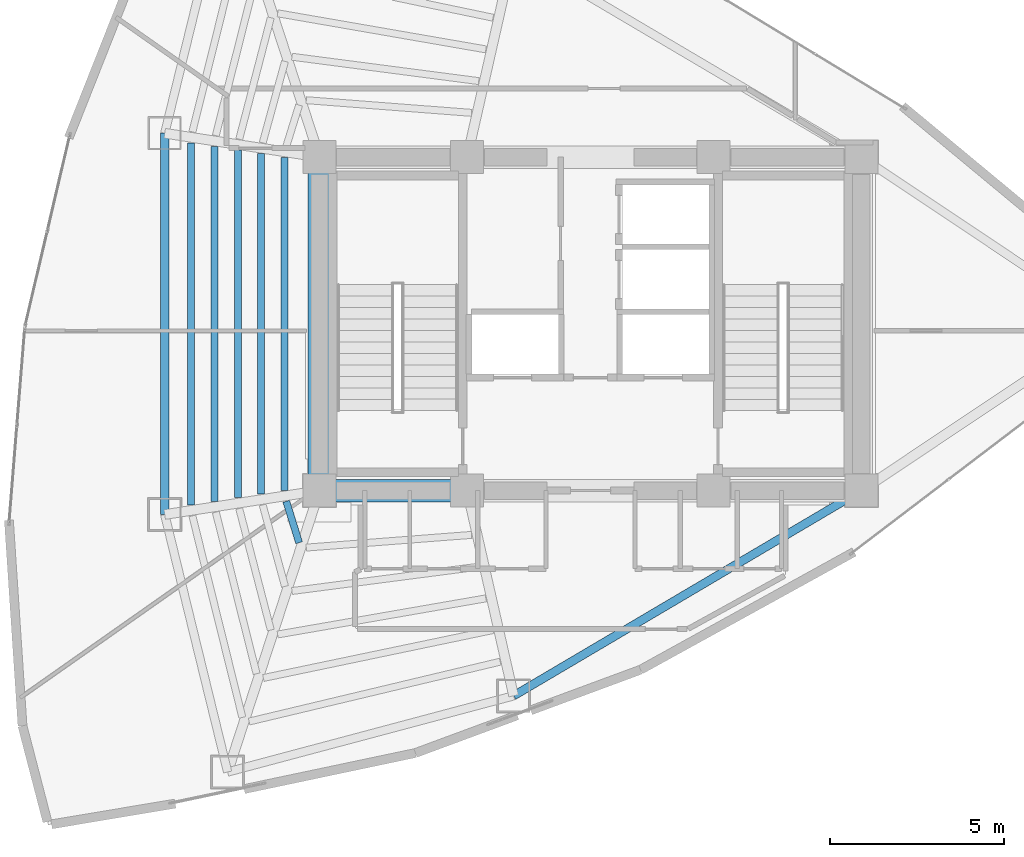
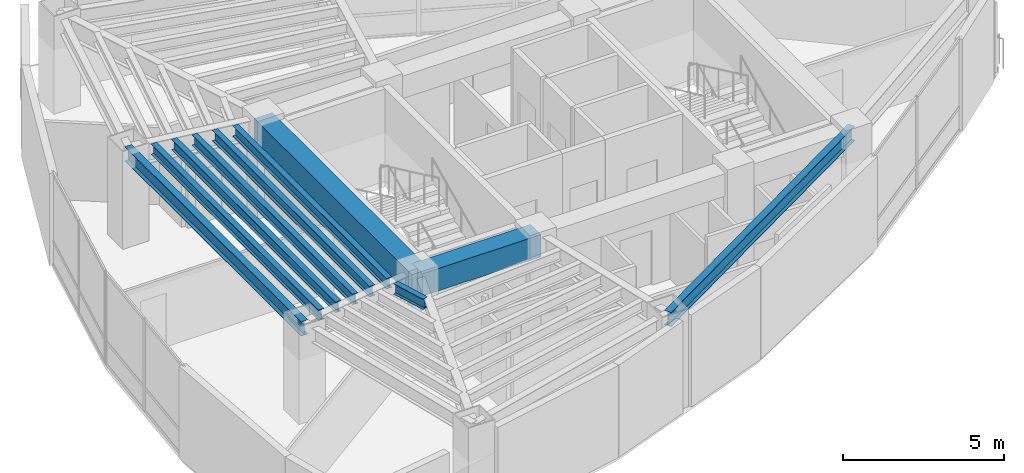
# One storey, part 3 of 15: 10 beams.
"""IFC4 building model written with IfcOpenShell, lengths in metres."""

from ifc_helpers import new_model, si_unit, direction, frame, origin, origin_2d, place, context, subcontext, project, spatial, rectangle, i_section, extrude, material, material_profile, profile_set, type_object, element, save


model = new_model("IFC4")

# Units and contexts
model_context = context("Model", 3, precision=1e-05, world=origin(), true_north=direction((0.0, 1.0)))
body_context = subcontext(model_context, "Body", "Model", "MODEL_VIEW")
ifc_project = project(units=[si_unit("LENGTHUNIT", "METRE"), si_unit("AREAUNIT", "SQUARE_METRE"), si_unit("VOLUMEUNIT", "CUBIC_METRE"), si_unit("PLANEANGLEUNIT", "RADIAN"), si_unit("MASSUNIT", "GRAM", prefix="KILO")], contexts=[model_context])

# Site, building, storey
site_placement = place(None, origin())
site = spatial("IfcSite", under=ifc_project, at=site_placement, CompositionType="ELEMENT")
building_placement = place(site_placement, origin())
building = spatial("IfcBuilding", under=site, at=building_placement, Name="Menara Vayukalpa", CompositionType="ELEMENT")
storey_placement = place(building_placement, frame((0.0, 0.0, 176.639892578125)))
storey = spatial("IfcBuildingStorey", under=building, at=storey_placement, Name="L44", CompositionType="ELEMENT", Elevation=176.639892578125)

# Beams
ifc_material_1 = material(Name="Concrete C60/75", Category="concrete")
ifc_material_profile_1 = material_profile(ifc_material_1, rectangle(XDim=0.64990234375, YDim=0.85009765625, at=origin_2d()), Name="RC 650x850")
ifc_profile_set_1 = profile_set([ifc_material_profile_1], Name="Concrete C60/75")
beam_type_1 = type_object("IfcBeamType", Name="BM-CB1", PredefinedType="BEAM", material=ifc_profile_set_1)
beam_1_placement = place(storey_placement, frame((17.800048828125, 17.199951171875, 3.0751953125), z_axis=(1.0, 0.0, 0.0), x_axis=(0.0, 1.0, 0.0)))
element("IfcBeam", 1, at=beam_1_placement, inside=storey, type_object=beam_type_1, Name="L44 Core Tie Beam CBR1", PredefinedType="BEAM", context=body_context, shape_type="SweptSolid", body=[
    extrude(rectangle(XDim=0.64990234375, YDim=0.85009765625, at=origin_2d()), origin(), (0.0, 0.0, 1.0), 4.25),
])
beam_2_placement = place(storey_placement, frame((17.800048828125, 17.199951171875, 3.0751953125), z_axis=(0.0, 1.0, 0.0), x_axis=(-1.0, 0.0, 0.0)))
element("IfcBeam", 2, at=beam_2_placement, inside=storey, type_object=beam_type_1, Name="L44 Core Tie Beam CBR7", PredefinedType="BEAM", context=body_context, shape_type="SweptSolid", body=[
    extrude(rectangle(XDim=0.64990234375, YDim=0.85009765625, at=origin_2d()), origin(), (0.0, 0.0, 1.0), 9.60009765625),
])
ifc_material_2 = material(Name="Steel S355", Category="steel")
ifc_material_profile_2 = material_profile(ifc_material_2, i_section(OverallWidth=0.199951171875, OverallDepth=0.39990234375, WebThickness=0.008056640625, FlangeThickness=0.012939453125, at=origin_2d()), Name="WF 400x200x8x13")
ifc_profile_set_2 = profile_set([ifc_material_profile_2], Name="Steel S355")
beam_type_2 = type_object("IfcBeamType", Name="BM-SJ2", PredefinedType="JOIST", material=ifc_profile_set_2)
beam_3_placement = place(storey_placement, frame((16.79541015625, 26.79541015625, 3.300048828125), z_axis=(0.0, -1.0, 0.0), x_axis=(1.0, 0.0, 0.0)))
element("IfcBeam", 3, at=beam_3_placement, inside=storey, type_object=beam_type_2, Name="L44 Secondary Floor Joist SJ05-1", PredefinedType="JOIST", context=body_context, shape_type="SweptSolid", body=[
    extrude(i_section(OverallWidth=0.199951171875, OverallDepth=0.39990234375, WebThickness=0.008056640625, FlangeThickness=0.012939453125, at=origin_2d()), origin(), (0.0, 0.0, 1.0), 9.5908203125),
])
beam_4_placement = place(storey_placement, frame((16.121826171875, 26.8994140625, 3.300048828125), z_axis=(0.0, -1.0, 0.0), x_axis=(1.0, 0.0, 0.0)))
element("IfcBeam", 4, at=beam_4_placement, inside=storey, type_object=beam_type_2, Name="L44 Secondary Floor Joist SJ05-2", PredefinedType="JOIST", context=body_context, shape_type="SweptSolid", body=[
    extrude(i_section(OverallWidth=0.199951171875, OverallDepth=0.39990234375, WebThickness=0.008056640625, FlangeThickness=0.012939453125, at=origin_2d()), origin(), (0.0, 0.0, 1.0), 9.798828125),
])
beam_5_placement = place(storey_placement, frame((15.448486328125, 27.003662109375, 3.300048828125), z_axis=(0.0, -1.0, 0.0), x_axis=(1.0, 0.0, 0.0)))
element("IfcBeam", 5, at=beam_5_placement, inside=storey, type_object=beam_type_2, Name="L44 Secondary Floor Joist SJ05-3", PredefinedType="JOIST", context=body_context, shape_type="SweptSolid", body=[
    extrude(i_section(OverallWidth=0.199951171875, OverallDepth=0.39990234375, WebThickness=0.008056640625, FlangeThickness=0.012939453125, at=origin_2d()), origin(), (0.0, 0.0, 1.0), 10.00732421875),
])
beam_6_placement = place(storey_placement, frame((14.77490234375, 27.10791015625, 3.300048828125), z_axis=(0.0, -1.0, 0.0), x_axis=(1.0, 0.0, 0.0)))
element("IfcBeam", 6, at=beam_6_placement, inside=storey, type_object=beam_type_2, Name="L44 Secondary Floor Joist SJ05-4", PredefinedType="JOIST", context=body_context, shape_type="SweptSolid", body=[
    extrude(i_section(OverallWidth=0.199951171875, OverallDepth=0.39990234375, WebThickness=0.008056640625, FlangeThickness=0.012939453125, at=origin_2d()), origin(), (0.0, 0.0, 1.0), 10.2158203125),
])
beam_7_placement = place(storey_placement, frame((14.1015625, 27.2119140625, 3.300048828125), z_axis=(0.0, -1.0, 0.0), x_axis=(1.0, 0.0, 0.0)))
element("IfcBeam", 7, at=beam_7_placement, inside=storey, type_object=beam_type_2, Name="L44 Secondary Floor Joist SJ05-5", PredefinedType="JOIST", context=body_context, shape_type="SweptSolid", body=[
    extrude(i_section(OverallWidth=0.199951171875, OverallDepth=0.39990234375, WebThickness=0.008056640625, FlangeThickness=0.012939453125, at=origin_2d()), origin(), (0.0, 0.0, 1.0), 10.423828125),
])
beam_8_placement = place(storey_placement, frame((16.8427734375, 16.891845703125, 3.300048828125), z_axis=(0.296448419226, -0.955048865105, 0.0), x_axis=(0.955048865105, 0.296448419226, 0.0)))
element("IfcBeam", 8, at=beam_8_placement, inside=storey, type_object=beam_type_2, Name="L44 Secondary Floor Joist SJ06-1", PredefinedType="JOIST", context=body_context, shape_type="SweptSolid", body=[
    extrude(i_section(OverallWidth=0.199951171875, OverallDepth=0.39990234375, WebThickness=0.008056640625, FlangeThickness=0.012939453125, at=origin_2d()), origin(), (0.0, 0.0, 1.0), 1.24853515625),
])
ifc_material_3 = material(Name="Steel S355", Category="steel")
ifc_material_profile_3 = material_profile(ifc_material_3, i_section(OverallWidth=0.239990234375, OverallDepth=0.550048828125, WebThickness=0.010986328125, FlangeThickness=0.01904296875, at=origin_2d()), Name="WF 550x240x11x19")
ifc_profile_set_3 = profile_set([ifc_material_profile_3], Name="Steel S355")
beam_type_3 = type_object("IfcBeamType", Name="BM-SP2", PredefinedType="SPANDREL", material=ifc_profile_set_3)
beam_9_placement = place(storey_placement, frame((13.343994140625, 27.4892578125, 3.22509765625), z_axis=(0.0, -1.0, 0.0), x_axis=(1.0, 0.0, 0.0)))
element("IfcBeam", 9, at=beam_9_placement, inside=storey, type_object=beam_type_3, Name="L44 Perimeter Spandrel Beam SP05", PredefinedType="SPANDREL", context=body_context, shape_type="SweptSolid", body=[
    extrude(i_section(OverallWidth=0.239990234375, OverallDepth=0.550048828125, WebThickness=0.010986328125, FlangeThickness=0.01904296875, at=origin_2d()), origin(), (0.0, 0.0, 1.0), 10.978515625),
])
beam_10_placement = place(storey_placement, frame((23.389404296875, 11.29150390625, 3.22509765625), z_axis=(0.861184403346, 0.508292655302, 0.0), x_axis=(-0.508292655302, 0.861184403346, 0.0)))
element("IfcBeam", 10, at=beam_10_placement, inside=storey, type_object=beam_type_3, Name="L44 Perimeter Spandrel Beam SP08", PredefinedType="SPANDREL", context=body_context, shape_type="SweptSolid", body=[
    extrude(i_section(OverallWidth=0.239990234375, OverallDepth=0.550048828125, WebThickness=0.010986328125, FlangeThickness=0.01904296875, at=origin_2d()), origin(), (0.0, 0.0, 1.0), 11.6240234375),
])

save(model, "model.ifc")
